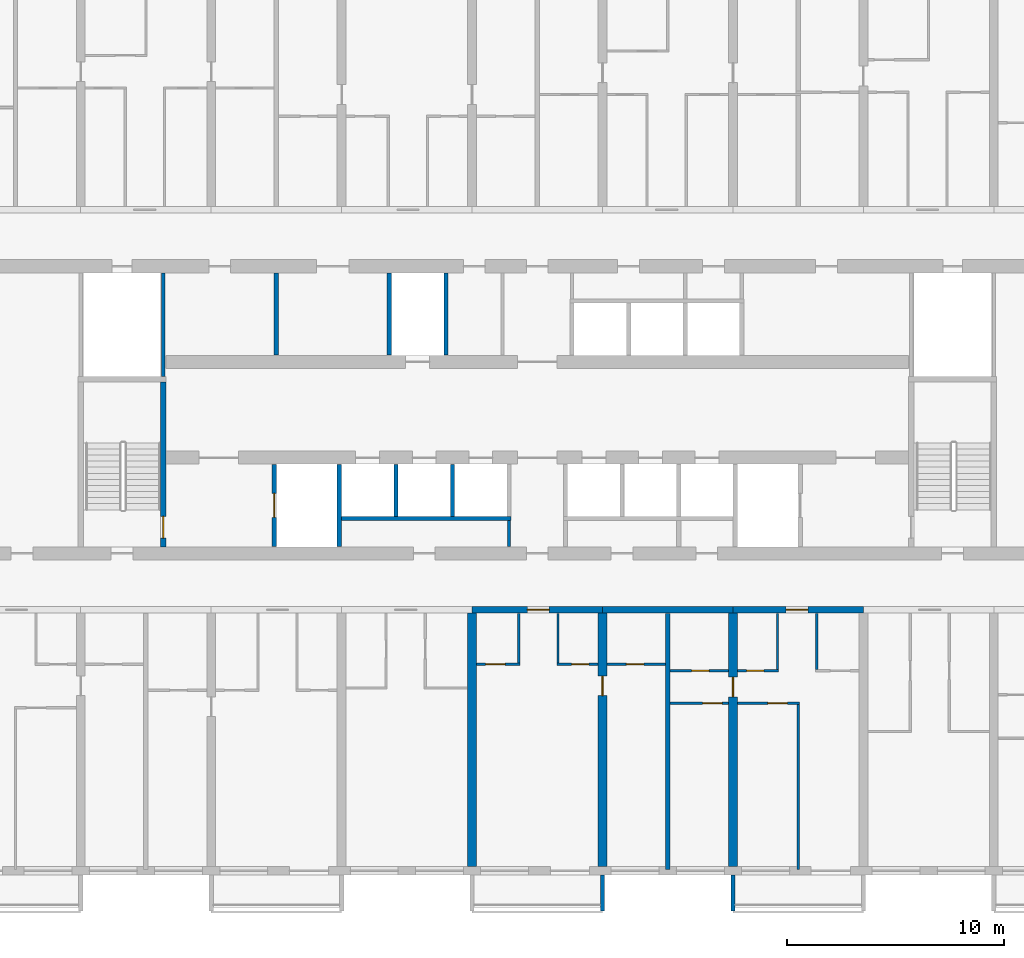
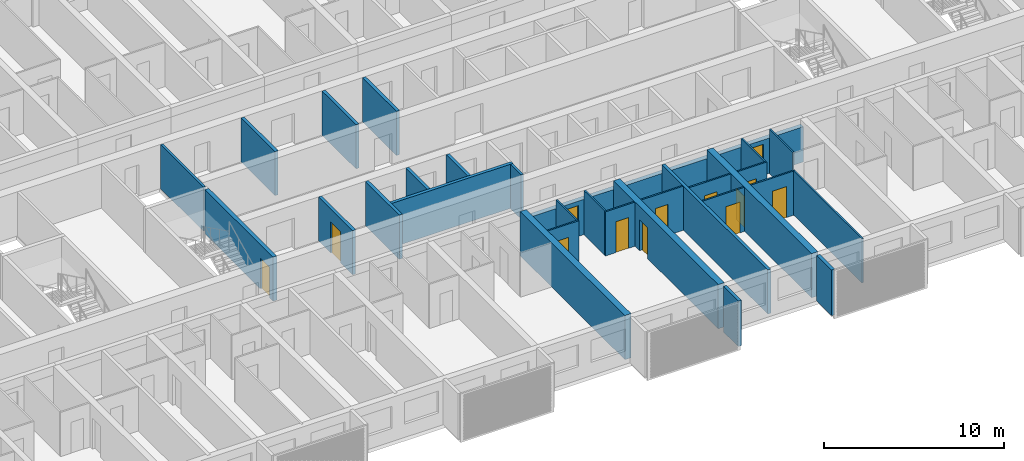
# One storey, part 6 of 38: 32 walls, 13 doors, 13 openings.
"""IFC4 building model written with IfcOpenShell, lengths in metres."""

from ifc_helpers import new_model, si_unit, direction, frame, frame_2d, origin, place, context, subcontext, project, spatial, polyline, rectangle, outline, extrude, source, transform, mapped, material, layer, layer_set, type_object, element, fill, save


model = new_model("IFC4")

# Units and contexts
model_context = context("Model", 3, precision=1e-05, world=origin(), true_north=direction((0.0, 1.0)))
body_context = subcontext(model_context, "Body", "Model", "MODEL_VIEW")
ifc_project = project(units=[si_unit("LENGTHUNIT", "METRE"), si_unit("AREAUNIT", "SQUARE_METRE"), si_unit("VOLUMEUNIT", "CUBIC_METRE"), si_unit("PLANEANGLEUNIT", "RADIAN"), si_unit("MASSUNIT", "GRAM", prefix="KILO")], contexts=[model_context])

# Site, building, storey
site_placement = place(None, origin())
site = spatial("IfcSite", under=ifc_project, at=site_placement, CompositionType="ELEMENT")
building_placement = place(site_placement, origin())
building = spatial("IfcBuilding", under=site, at=building_placement, Name="Poui Terraces", CompositionType="ELEMENT")
storey_placement = place(building_placement, frame((0.0, 0.0, 49.800048828125)))
storey = spatial("IfcBuildingStorey", under=building, at=storey_placement, Name="L13", CompositionType="ELEMENT", Elevation=49.800048828125)

# Wall
ifc_material_1 = material(Name="Fire-rated plasterboard wall")
ifc_layer_1 = layer(ifc_material_1, 0.14990234375)
ifc_layer_set_1 = layer_set([ifc_layer_1], Name="Fire-rated plasterboard wall")
wall_type_1 = type_object("IfcWallType", Name="CORRIDOR WALL 150", PredefinedType="PARTITIONING", material=ifc_layer_set_1)
wall_1_placement = place(storey_placement, frame((49.699951171875, 14.909912109375, 0.0), z_axis=(0.0, 0.0, 1.0), x_axis=(0.0, 1.0, 0.0)))
element("IfcWall", 1, at=wall_1_placement, inside=storey, type_object=wall_type_1, Name="CORRIDOR WALL 150", PredefinedType="PARTITIONING", context=body_context, shape_type="SweptSolid", body=[
    extrude(rectangle(XDim=1.190185546875, YDim=0.14990234375, at=frame_2d((0.59521484375, 0.0))), origin(), (0.0, 0.0, 1.0), 3.0),
])

# Wall, opening, door
ifc_material_2 = material(Name="Concrete 80 MPa", Category="concrete")
ifc_layer_2 = layer(ifc_material_2, 0.300048828125)
ifc_layer_set_2 = layer_set([ifc_layer_2], Name="Concrete 80 MPa")
wall_type_2 = type_object("IfcWallType", Name="CORRIDOR WALL 300 80MPa", PredefinedType="SHEAR", material=ifc_layer_set_2)
wall_2_placement = place(storey_placement, frame((48.0, 12.0, 0.0), z_axis=(0.0, 0.0, 1.0), x_axis=(1.0, 0.0, 0.0)))
wall_2 = element("IfcWall", 2, at=wall_2_placement, inside=storey, type_object=wall_type_2, Name="CORRIDOR WALL LINE B BAY 9", PredefinedType="SHEAR", context=body_context, shape_type="SweptSolid", body=[
    extrude(rectangle(XDim=6.0, YDim=0.300048828125, at=frame_2d((3.0, 0.0))), origin(), (0.0, 0.0, 1.0), 2.39990234375),
])
opening_1_placement = place(wall_2_placement, frame((2.550048828125, 0.0, 0.0)))
opening_1 = element("IfcOpeningElement", 3, at=opening_1_placement, cuts=wall_2, Name="Opening FD30S", PredefinedType="OPENING", context=body_context, shape_type="SweptSolid", body=[
    extrude(rectangle(XDim=1.0, YDim=2.10009765625, at=frame_2d((0.5, 1.050048828125))), frame((0.0, 0.16015625, 0.0), z_axis=(0.0, -1.0, 0.0), x_axis=(1.0, 0.0, 0.0)), (0.0, 0.0, 1.0), 0.320068359375),
])
ifc_material_3 = material(Name="Steel fire door", Category="steel")
door_type_1 = type_object("IfcDoorType", Name="FLAT ENTRANCE DOOR 1000 X 2100", OperationType="NOTDEFINED", PredefinedType="DOOR", material=ifc_material_3)
door_1_placement = place(opening_1_placement, frame((1.0, 0.0, 0.0), z_axis=(0.0, 0.0, 1.0), x_axis=(-1.0, 0.0, 0.0)))
door_1 = element("IfcDoor", 4, at=door_1_placement, inside=storey, type_object=door_type_1, Name="FLAT ENTRANCE DOOR 119", OperationType="SINGLE_SWING_LEFT", OverallHeight=2.10009765625, OverallWidth=1.0, PredefinedType="DOOR", context=body_context, shape_type="SweptSolid", body=[
    extrude(rectangle(XDim=1.0, YDim=2.10009765625, at=frame_2d((0.5, 1.050048828125))), frame((0.0, 0.02490234375, 0.0), z_axis=(0.0, -1.0, 0.0), x_axis=(1.0, 0.0, 0.0)), (0.0, 0.0, 1.0), 0.050048828125),
])
fill(opening_1, door_1)

# Wall
wall_3_placement = place(storey_placement, frame((54.0, 12.0, 0.0), z_axis=(0.0, 0.0, 1.0), x_axis=(1.0, 0.0, 0.0)))
element("IfcWall", 5, at=wall_3_placement, inside=storey, type_object=wall_type_2, Name="CORRIDOR WALL LINE B BAY 10", PredefinedType="SHEAR", context=body_context, shape_type="SweptSolid", body=[
    extrude(rectangle(XDim=6.0, YDim=0.300048828125, at=frame_2d((3.0, 0.0))), origin(), (0.0, 0.0, 1.0), 2.39990234375),
])

# Wall, opening, door
wall_4_placement = place(storey_placement, frame((60.0, 12.0, 0.0), z_axis=(0.0, 0.0, 1.0), x_axis=(1.0, 0.0, 0.0)))
wall_4 = element("IfcWall", 6, at=wall_4_placement, inside=storey, type_object=wall_type_2, Name="CORRIDOR WALL LINE B BAY 11", PredefinedType="SHEAR", context=body_context, shape_type="SweptSolid", body=[
    extrude(rectangle(XDim=6.0, YDim=0.300048828125, at=frame_2d((3.0, 0.0))), origin(), (0.0, 0.0, 1.0), 2.39990234375),
])
opening_2_placement = place(wall_4_placement, frame((2.449951171875, 0.0, 0.0)))
opening_2 = element("IfcOpeningElement", 7, at=opening_2_placement, cuts=wall_4, Name="Opening FD30S", PredefinedType="OPENING", context=body_context, shape_type="SweptSolid", body=[
    extrude(rectangle(XDim=1.0, YDim=2.10009765625, at=frame_2d((0.5, 1.050048828125))), frame((0.0, 0.16015625, 0.0), z_axis=(0.0, -1.0, 0.0), x_axis=(1.0, 0.0, 0.0)), (0.0, 0.0, 1.0), 0.320068359375),
])
door_2_placement = place(opening_2_placement, frame((1.0, 0.0, 0.0), z_axis=(0.0, 0.0, 1.0), x_axis=(-1.0, 0.0, 0.0)))
door_2 = element("IfcDoor", 8, at=door_2_placement, inside=storey, type_object=door_type_1, Name="FLAT ENTRANCE DOOR 127", OperationType="SINGLE_SWING_RIGHT", OverallHeight=2.10009765625, OverallWidth=1.0, PredefinedType="DOOR", context=body_context, shape_type="SweptSolid", body=[
    extrude(rectangle(XDim=1.0, YDim=2.10009765625, at=frame_2d((0.5, 1.050048828125))), frame((0.0, 0.02490234375, 0.0), z_axis=(0.0, -1.0, 0.0), x_axis=(1.0, 0.0, 0.0)), (0.0, 0.0, 1.0), 0.050048828125),
])
fill(opening_2, door_2)

# Wall
ifc_layer_3 = layer(ifc_material_2, 0.39990234375)
ifc_layer_set_3 = layer_set([ifc_layer_3], Name="Concrete 80 MPa")
wall_type_3 = type_object("IfcWallType", Name="CROSS WALL 400 80MPa", PredefinedType="SHEAR", material=ifc_layer_set_3)
wall_5_placement = place(storey_placement, frame((48.0, 0.199951171875, 0.0), z_axis=(0.0, 0.0, 1.0), x_axis=(0.0, 1.0, 0.0)))
element("IfcWall", 9, at=wall_5_placement, inside=storey, type_object=wall_type_3, Name="CROSS WALL LINE 9 SOUTH", PredefinedType="SHEAR", context=body_context, shape_type="SweptSolid", body=[
    extrude(rectangle(XDim=11.650146484375, YDim=0.39990234375, at=frame_2d((5.8251953125, 0.0))), origin(), (0.0, 0.0, 1.0), 3.0),
])

# Wall, opening, door
wall_6_placement = place(storey_placement, frame((54.0, 0.199951171875, 0.0), z_axis=(0.0, 0.0, 1.0), x_axis=(0.0, 1.0, 0.0)))
wall_6 = element("IfcWall", 10, at=wall_6_placement, inside=storey, type_object=wall_type_3, Name="CROSS WALL LINE 10 SOUTH", PredefinedType="SHEAR", context=body_context, shape_type="SweptSolid", body=[
    extrude(rectangle(XDim=11.650146484375, YDim=0.39990234375, at=frame_2d((5.8251953125, 0.0))), origin(), (0.0, 0.0, 1.0), 3.0),
])
opening_3_placement = place(wall_6_placement, frame((7.85009765625, 0.0, 0.0)))
opening_3 = element("IfcOpeningElement", 11, at=opening_3_placement, cuts=wall_6, Name="Opening D90", PredefinedType="OPENING", context=body_context, shape_type="SweptSolid", body=[
    extrude(rectangle(XDim=0.89990234375, YDim=2.10009765625, at=frame_2d((0.449951171875, 1.050048828125))), frame((0.0, 0.2099609375, 0.0), z_axis=(0.0, -1.0, 0.0), x_axis=(1.0, 0.0, 0.0)), (0.0, 0.0, 1.0), 0.419921875),
])
ifc_material_4 = material(Name="Solid core timber door", Category="wood")
door_type_2 = type_object("IfcDoorType", Name="INTERNAL DOOR 900 X 2100", OperationType="NOTDEFINED", PredefinedType="DOOR", material=ifc_material_4)
door_3_placement = place(opening_3_placement, frame((0.89990234375, 0.0, 0.0), z_axis=(0.0, 0.0, 1.0), x_axis=(-1.0, 0.0, 0.0)))
door_3 = element("IfcDoor", 12, at=door_3_placement, inside=storey, type_object=door_type_2, Name="INTERNAL DOOR 121", OperationType="SINGLE_SWING_LEFT", OverallHeight=2.10009765625, OverallWidth=0.89990234375, PredefinedType="DOOR", context=body_context, shape_type="SweptSolid", body=[
    extrude(rectangle(XDim=0.89990234375, YDim=2.10009765625, at=frame_2d((0.449951171875, 1.050048828125))), frame((0.0, 0.02490234375, 0.0), z_axis=(0.0, -1.0, 0.0), x_axis=(1.0, 0.0, 0.0)), (0.0, 0.0, 1.0), 0.050048828125),
])
fill(opening_3, door_3)

wall_7_placement = place(storey_placement, frame((60.0, 0.199951171875, 0.0), z_axis=(0.0, 0.0, 1.0), x_axis=(0.0, 1.0, 0.0)))
wall_7 = element("IfcWall", 13, at=wall_7_placement, inside=storey, type_object=wall_type_3, Name="CROSS WALL LINE 11 SOUTH", PredefinedType="SHEAR", context=body_context, shape_type="SweptSolid", body=[
    extrude(rectangle(XDim=11.650146484375, YDim=0.39990234375, at=frame_2d((5.8251953125, 0.0))), origin(), (0.0, 0.0, 1.0), 3.0),
])
opening_4_placement = place(wall_7_placement, frame((7.800048828125, 0.0, 0.0)))
opening_4 = element("IfcOpeningElement", 14, at=opening_4_placement, cuts=wall_7, Name="Opening D90", PredefinedType="OPENING", context=body_context, shape_type="SweptSolid", body=[
    extrude(rectangle(XDim=0.89990234375, YDim=2.10009765625, at=frame_2d((0.449951171875, 1.050048828125))), frame((0.0, 0.2099609375, 0.0), z_axis=(0.0, -1.0, 0.0), x_axis=(1.0, 0.0, 0.0)), (0.0, 0.0, 1.0), 0.419921875),
])
door_4_placement = place(opening_4_placement, frame((0.89990234375, 0.0, 0.0), z_axis=(0.0, 0.0, 1.0), x_axis=(-1.0, 0.0, 0.0)))
door_4 = element("IfcDoor", 15, at=door_4_placement, inside=storey, type_object=door_type_2, Name="INTERNAL DOOR 124", OperationType="SINGLE_SWING_LEFT", OverallHeight=2.10009765625, OverallWidth=0.89990234375, PredefinedType="DOOR", context=body_context, shape_type="SweptSolid", body=[
    extrude(rectangle(XDim=0.89990234375, YDim=2.10009765625, at=frame_2d((0.449951171875, 1.050048828125))), frame((0.0, 0.02490234375, 0.0), z_axis=(0.0, -1.0, 0.0), x_axis=(1.0, 0.0, 0.0)), (0.0, 0.0, 1.0), 0.050048828125),
])
fill(opening_4, door_4)

ifc_material_5 = material(Name="Plasterboard partition")
ifc_layer_4 = layer(ifc_material_5, 0.10009765625)
ifc_layer_set_4 = layer_set([ifc_layer_4], Name="Plasterboard partition")
wall_type_4 = type_object("IfcWallType", Name="FLAT PARTITION 100", PredefinedType="PARTITIONING", material=ifc_layer_set_4)
wall_8_placement = place(storey_placement, frame((57.10009765625, 7.699951171875, 0.0), z_axis=(0.0, 0.0, 1.0), x_axis=(1.0, 0.0, 0.0)))
wall_8 = element("IfcWall", 16, at=wall_8_placement, inside=storey, type_object=wall_type_4, Name="FLAT PARTITION 100", PredefinedType="PARTITIONING", context=body_context, shape_type="SweptSolid", body=[
    extrude(rectangle(XDim=2.68994140625, YDim=0.10009765625, at=frame_2d((1.344970703125, 0.0))), origin(), (0.0, 0.0, 1.0), 3.0),
])
opening_5_placement = place(wall_8_placement, frame((1.5, 0.0, 0.0)))
opening_5 = element("IfcOpeningElement", 17, at=opening_5_placement, cuts=wall_8, Name="Opening D90", PredefinedType="OPENING", context=body_context, shape_type="SweptSolid", body=[
    extrude(rectangle(XDim=0.89990234375, YDim=2.10009765625, at=frame_2d((0.449951171875, 1.050048828125))), frame((0.0, 0.06005859375, 0.0), z_axis=(0.0, -1.0, 0.0), x_axis=(1.0, 0.0, 0.0)), (0.0, 0.0, 1.0), 0.1201171875),
])
door_5_placement = place(opening_5_placement, frame((0.89990234375, 0.0, 0.0), z_axis=(0.0, 0.0, 1.0), x_axis=(-1.0, 0.0, 0.0)))
door_5 = element("IfcDoor", 18, at=door_5_placement, inside=storey, type_object=door_type_2, Name="INTERNAL DOOR 123", OperationType="SINGLE_SWING_LEFT", OverallHeight=2.10009765625, OverallWidth=0.89990234375, PredefinedType="DOOR", context=body_context, shape_type="SweptSolid", body=[
    extrude(rectangle(XDim=0.89990234375, YDim=2.10009765625, at=frame_2d((0.449951171875, 1.050048828125))), frame((0.0, 0.02490234375, 0.0), z_axis=(0.0, -1.0, 0.0), x_axis=(1.0, 0.0, 0.0)), (0.0, 0.0, 1.0), 0.050048828125),
])
fill(opening_5, door_5)

wall_9_placement = place(storey_placement, frame((60.2099609375, 7.699951171875, 0.0), z_axis=(0.0, 0.0, 1.0), x_axis=(1.0, 0.0, 0.0)))
wall_9 = element("IfcWall", 19, at=wall_9_placement, inside=storey, type_object=wall_type_4, Name="FLAT PARTITION 100", PredefinedType="PARTITIONING", context=body_context, shape_type="SweptSolid", body=[
    extrude(rectangle(XDim=2.840087890625, YDim=0.10009765625, at=frame_2d((1.419921875, 0.0))), origin(), (0.0, 0.0, 1.0), 3.0),
])
opening_6_placement = place(wall_9_placement, frame((1.389892578125, 0.0, 0.0)))
opening_6 = element("IfcOpeningElement", 20, at=opening_6_placement, cuts=wall_9, Name="Opening D90", PredefinedType="OPENING", context=body_context, shape_type="SweptSolid", body=[
    extrude(rectangle(XDim=0.89990234375, YDim=2.10009765625, at=frame_2d((0.449951171875, 1.050048828125))), frame((0.0, 0.06005859375, 0.0), z_axis=(0.0, -1.0, 0.0), x_axis=(1.0, 0.0, 0.0)), (0.0, 0.0, 1.0), 0.1201171875),
])
door_6_placement = place(opening_6_placement, origin())
door_6 = element("IfcDoor", 21, at=door_6_placement, inside=storey, type_object=door_type_2, Name="INTERNAL DOOR 126", OperationType="SINGLE_SWING_LEFT", OverallHeight=2.10009765625, OverallWidth=0.89990234375, PredefinedType="DOOR", context=body_context, shape_type="SweptSolid", body=[
    extrude(rectangle(XDim=0.89990234375, YDim=2.10009765625, at=frame_2d((0.449951171875, 1.050048828125))), frame((0.0, 0.02490234375, 0.0), z_axis=(0.0, -1.0, 0.0), x_axis=(1.0, 0.0, 0.0)), (0.0, 0.0, 1.0), 0.050048828125),
])
fill(opening_6, door_6)

wall_10_placement = place(storey_placement, frame((57.10009765625, 9.199951171875, 0.0), z_axis=(0.0, 0.0, 1.0), x_axis=(1.0, 0.0, 0.0)))
wall_10 = element("IfcWall", 22, at=wall_10_placement, inside=storey, type_object=wall_type_4, Name="FLAT PARTITION 100", PredefinedType="PARTITIONING", context=body_context, shape_type="SweptSolid", body=[
    extrude(rectangle(XDim=2.68994140625, YDim=0.10009765625, at=frame_2d((1.344970703125, 0.0))), origin(), (0.0, 0.0, 1.0), 3.0),
])
opening_7_placement = place(wall_10_placement, frame((1.0, 0.0, 0.0)))
opening_7 = element("IfcOpeningElement", 23, at=opening_7_placement, cuts=wall_10, Name="Opening D80", PredefinedType="OPENING", context=body_context, shape_type="SweptSolid", body=[
    extrude(rectangle(XDim=0.800048828125, YDim=2.10009765625, at=frame_2d((0.39990234375, 1.050048828125))), frame((0.0, 0.06005859375, 0.0), z_axis=(0.0, -1.0, 0.0), x_axis=(1.0, 0.0, 0.0)), (0.0, 0.0, 1.0), 0.1201171875),
])
door_type_3 = type_object("IfcDoorType", Name="BATHROOM, LAUNDRY AND STORE DOOR 800 X 2100", OperationType="NOTDEFINED", PredefinedType="DOOR", material=ifc_material_4)
door_7_placement = place(opening_7_placement, origin())
door_7 = element("IfcDoor", 24, at=door_7_placement, inside=storey, type_object=door_type_3, Name="BATHROOM, LAUNDRY AND STORE DOOR 122", OperationType="SINGLE_SWING_LEFT", OverallHeight=2.10009765625, OverallWidth=0.800048828125, PredefinedType="DOOR", context=body_context, shape_type="SweptSolid", body=[
    extrude(rectangle(XDim=0.800048828125, YDim=2.10009765625, at=frame_2d((0.39990234375, 1.050048828125))), frame((0.0, 0.02490234375, 0.0), z_axis=(0.0, -1.0, 0.0), x_axis=(1.0, 0.0, 0.0)), (0.0, 0.0, 1.0), 0.050048828125),
])
fill(opening_7, door_7)

wall_11_placement = place(storey_placement, frame((60.2099609375, 9.199951171875, 0.0), z_axis=(0.0, 0.0, 1.0), x_axis=(1.0, 0.0, 0.0)))
wall_11 = element("IfcWall", 25, at=wall_11_placement, inside=storey, type_object=wall_type_4, Name="FLAT PARTITION 100", PredefinedType="PARTITIONING", context=body_context, shape_type="SweptSolid", body=[
    extrude(rectangle(XDim=1.89013671875, YDim=0.10009765625, at=frame_2d((0.945068359375, 0.0))), origin(), (0.0, 0.0, 1.0), 3.0),
])
opening_8_placement = place(wall_11_placement, frame((0.4150390625, 0.0, 0.0)))
opening_8 = element("IfcOpeningElement", 26, at=opening_8_placement, cuts=wall_11, Name="Opening D80", PredefinedType="OPENING", context=body_context, shape_type="SweptSolid", body=[
    extrude(rectangle(XDim=0.800048828125, YDim=2.10009765625, at=frame_2d((0.39990234375, 1.050048828125))), frame((0.0, 0.06005859375, 0.0), z_axis=(0.0, -1.0, 0.0), x_axis=(1.0, 0.0, 0.0)), (0.0, 0.0, 1.0), 0.1201171875),
])
door_8_placement = place(opening_8_placement, origin())
door_8 = element("IfcDoor", 27, at=door_8_placement, inside=storey, type_object=door_type_3, Name="BATHROOM, LAUNDRY AND STORE DOOR 125", OperationType="SINGLE_SWING_RIGHT", OverallHeight=2.10009765625, OverallWidth=0.800048828125, PredefinedType="DOOR", context=body_context, shape_type="SweptSolid", body=[
    extrude(rectangle(XDim=0.800048828125, YDim=2.10009765625, at=frame_2d((0.39990234375, 1.050048828125))), frame((0.0, 0.02490234375, 0.0), z_axis=(0.0, -1.0, 0.0), x_axis=(1.0, 0.0, 0.0)), (0.0, 0.0, 1.0), 0.050048828125),
])
fill(opening_8, door_8)

wall_12_placement = place(storey_placement, frame((48.2099609375, 9.5, 0.0), z_axis=(0.0, 0.0, 1.0), x_axis=(1.0, 0.0, 0.0)))
wall_12 = element("IfcWall", 28, at=wall_12_placement, inside=storey, type_object=wall_type_4, Name="FLAT PARTITION 100", PredefinedType="PARTITIONING", context=body_context, shape_type="SweptSolid", body=[
    extrude(rectangle(XDim=1.989990234375, YDim=0.10009765625, at=frame_2d((0.9951171875, 0.0))), origin(), (0.0, 0.0, 1.0), 3.0),
])
opening_9_placement = place(wall_12_placement, frame((0.4150390625, 0.0, 0.0)))
opening_9 = element("IfcOpeningElement", 29, at=opening_9_placement, cuts=wall_12, Name="Opening D90", PredefinedType="OPENING", context=body_context, shape_type="SweptSolid", body=[
    extrude(rectangle(XDim=0.89990234375, YDim=2.10009765625, at=frame_2d((0.449951171875, 1.050048828125))), frame((0.0, 0.06005859375, 0.0), z_axis=(0.0, -1.0, 0.0), x_axis=(1.0, 0.0, 0.0)), (0.0, 0.0, 1.0), 0.1201171875),
])
door_9_placement = place(opening_9_placement, origin())
door_9 = element("IfcDoor", 30, at=door_9_placement, inside=storey, type_object=door_type_2, Name="INTERNAL DOOR 118", OperationType="SINGLE_SWING_RIGHT", OverallHeight=2.10009765625, OverallWidth=0.89990234375, PredefinedType="DOOR", context=body_context, shape_type="SweptSolid", body=[
    extrude(rectangle(XDim=0.89990234375, YDim=2.10009765625, at=frame_2d((0.449951171875, 1.050048828125))), frame((0.0, 0.02490234375, 0.0), z_axis=(0.0, -1.0, 0.0), x_axis=(1.0, 0.0, 0.0)), (0.0, 0.0, 1.0), 0.050048828125),
])
fill(opening_9, door_9)

wall_13_placement = place(storey_placement, frame((51.89990234375, 9.5, 0.0), z_axis=(0.0, 0.0, 1.0), x_axis=(1.0, 0.0, 0.0)))
wall_13 = element("IfcWall", 31, at=wall_13_placement, inside=storey, type_object=wall_type_4, Name="FLAT PARTITION 100", PredefinedType="PARTITIONING", context=body_context, shape_type="SweptSolid", body=[
    extrude(rectangle(XDim=1.89013671875, YDim=0.10009765625, at=frame_2d((0.945068359375, 0.0))), origin(), (0.0, 0.0, 1.0), 3.0),
])
opening_10_placement = place(wall_13_placement, frame((0.675048828125, 0.0, 0.0)))
opening_10 = element("IfcOpeningElement", 32, at=opening_10_placement, cuts=wall_13, Name="Opening D80", PredefinedType="OPENING", context=body_context, shape_type="SweptSolid", body=[
    extrude(rectangle(XDim=0.800048828125, YDim=2.10009765625, at=frame_2d((0.39990234375, 1.050048828125))), frame((0.0, 0.06005859375, 0.0), z_axis=(0.0, -1.0, 0.0), x_axis=(1.0, 0.0, 0.0)), (0.0, 0.0, 1.0), 0.1201171875),
])
door_10_placement = place(opening_10_placement, origin())
door_10 = element("IfcDoor", 33, at=door_10_placement, inside=storey, type_object=door_type_3, Name="BATHROOM, LAUNDRY AND STORE DOOR 120", OperationType="SINGLE_SWING_LEFT", OverallHeight=2.10009765625, OverallWidth=0.800048828125, PredefinedType="DOOR", context=body_context, shape_type="SweptSolid", body=[
    extrude(rectangle(XDim=0.800048828125, YDim=2.10009765625, at=frame_2d((0.39990234375, 1.050048828125))), frame((0.0, 0.02490234375, 0.0), z_axis=(0.0, -1.0, 0.0), x_axis=(1.0, 0.0, 0.0)), (0.0, 0.0, 1.0), 0.050048828125),
])
fill(opening_10, door_10)

wall_14_placement = place(storey_placement, frame((54.2099609375, 9.5, 0.0), z_axis=(0.0, 0.0, 1.0), x_axis=(1.0, 0.0, 0.0)))
wall_14 = element("IfcWall", 34, at=wall_14_placement, inside=storey, type_object=wall_type_4, Name="FLAT PARTITION 100", PredefinedType="PARTITIONING", context=body_context, shape_type="SweptSolid", body=[
    extrude(rectangle(XDim=2.68994140625, YDim=0.10009765625, at=frame_2d((1.344970703125, 0.0))), origin(), (0.0, 0.0, 1.0), 3.0),
])
opening_11_placement = place(wall_14_placement, frame((0.889892578125, 0.0, 0.0)))
opening_11 = element("IfcOpeningElement", 35, at=opening_11_placement, cuts=wall_14, Name="Opening D80", PredefinedType="OPENING", context=body_context, shape_type="SweptSolid", body=[
    extrude(rectangle(XDim=0.800048828125, YDim=2.10009765625, at=frame_2d((0.39990234375, 1.050048828125))), frame((0.0, 0.06005859375, 0.0), z_axis=(0.0, -1.0, 0.0), x_axis=(1.0, 0.0, 0.0)), (0.0, 0.0, 1.0), 0.1201171875),
])
door_11_placement = place(opening_11_placement, origin())
door_11 = element("IfcDoor", 36, at=door_11_placement, inside=storey, type_object=door_type_3, Name="BATHROOM, LAUNDRY AND STORE DOOR 117", OperationType="SINGLE_SWING_LEFT", OverallHeight=2.10009765625, OverallWidth=0.800048828125, PredefinedType="DOOR", context=body_context, shape_type="SweptSolid", body=[
    extrude(rectangle(XDim=0.800048828125, YDim=2.10009765625, at=frame_2d((0.39990234375, 1.050048828125))), frame((0.0, 0.02490234375, 0.0), z_axis=(0.0, -1.0, 0.0), x_axis=(1.0, 0.0, 0.0)), (0.0, 0.0, 1.0), 0.050048828125),
])
fill(opening_11, door_11)

# Walls
for number, where, z_axis, x_axis, name in (
    (37, (50.14990234375, 9.550048828125, 0.0), (0.0, 0.0, 1.0), (0.0, 1.0, 0.0), "FLAT PARTITION 100"),
    (38, (51.949951171875, 9.550048828125, 0.0), (0.0, 0.0, 1.0), (0.0, 1.0, 0.0), "FLAT PARTITION 100"),
):
    element("IfcWall", number, at=place(storey_placement, frame(where, z_axis=z_axis, x_axis=x_axis)), inside=storey, type_object=wall_type_4, Name=name, PredefinedType="PARTITIONING", context=body_context, shape_type="SweptSolid", body=[
        extrude(rectangle(XDim=2.2900390625, YDim=0.10009765625, at=frame_2d((1.14501953125, 0.0))), origin(), (0.0, 0.0, 1.0), 3.0),
    ])
wall_15_placement = place(storey_placement, frame((62.050048828125, 9.25, 0.0), z_axis=(0.0, 0.0, 1.0), x_axis=(0.0, 1.0, 0.0)))
element("IfcWall", 39, at=wall_15_placement, inside=storey, type_object=wall_type_4, Name="FLAT PARTITION 100", PredefinedType="PARTITIONING", context=body_context, shape_type="SweptSolid", body=[
    extrude(rectangle(XDim=2.590087890625, YDim=0.10009765625, at=frame_2d((1.294921875, 0.0))), origin(), (0.0, 0.0, 1.0), 3.0),
])
wall_16_placement = place(storey_placement, frame((63.0, 0.06005859375, 0.0), z_axis=(0.0, 0.0, 1.0), x_axis=(0.0, 1.0, 0.0)))
element("IfcWall", 40, at=wall_16_placement, inside=storey, type_object=wall_type_4, Name="FLAT PARTITION 100", PredefinedType="PARTITIONING", context=body_context, shape_type="SweptSolid", body=[
    extrude(rectangle(XDim=7.58984375, YDim=0.10009765625, at=frame_2d((3.794921875, 0.0))), origin(), (0.0, 0.0, 1.0), 3.0),
])
wall_17_placement = place(storey_placement, frame((63.85009765625, 9.25, 0.0), z_axis=(0.0, 0.0, 1.0), x_axis=(0.0, 1.0, 0.0)))
element("IfcWall", 41, at=wall_17_placement, inside=storey, type_object=wall_type_4, Name="FLAT PARTITION 100", PredefinedType="PARTITIONING", context=body_context, shape_type="SweptSolid", body=[
    extrude(rectangle(XDim=2.590087890625, YDim=0.10009765625, at=frame_2d((1.294921875, 0.0))), origin(), (0.0, 0.0, 1.0), 3.0),
])
ifc_material_6 = material(Name="Fire-rated masonry wall", Category="masonry")
ifc_layer_5 = layer(ifc_material_6, 0.199951171875)
ifc_layer_set_5 = layer_set([ifc_layer_5], Name="Fire-rated masonry wall")
wall_type_5 = type_object("IfcWallType", Name="FLAT PARTY WALL 200", PredefinedType="PARTITIONING", material=ifc_layer_set_5)
wall_18_placement = place(storey_placement, frame((57.0, 0.06005859375, 0.0), z_axis=(0.0, 0.0, 1.0), x_axis=(0.0, 1.0, 0.0)))
element("IfcWall", 42, at=wall_18_placement, inside=storey, type_object=wall_type_5, Name="FLAT PARTY WALL 200", PredefinedType="PARTITIONING", context=body_context, shape_type="SweptSolid", body=[
    extrude(rectangle(XDim=11.780029296875, YDim=0.199951171875, at=frame_2d((5.89013671875, 0.0))), origin(), (0.0, 0.0, 1.0), 3.0),
])
ifc_layer_6 = layer(ifc_material_6, 0.199951171875)
ifc_layer_set_6 = layer_set([ifc_layer_6], Name="Fire-rated masonry wall")
wall_type_6 = type_object("IfcWallType", Name="PLANT ROOM WALL 200", PredefinedType="PARTITIONING", material=ifc_layer_set_6)
wall_19_placement = place(storey_placement, frame((39.0, 23.7099609375, 0.0), z_axis=(0.0, 0.0, 1.0), x_axis=(0.0, 1.0, 0.0)))
element("IfcWall", 43, at=wall_19_placement, inside=storey, type_object=wall_type_6, Name="PLANT ROOM WALL 200", PredefinedType="PARTITIONING", context=body_context, shape_type="SweptSolid", body=[
    extrude(rectangle(XDim=3.780029296875, YDim=0.199951171875, at=frame_2d((1.89013671875, 0.0))), origin(), (0.0, 0.0, 1.0), 3.0),
])
ifc_material_7 = material(Name="Fire-rated plasterboard riser wall")
ifc_layer_7 = layer(ifc_material_7, 0.14990234375)
ifc_layer_set_7 = layer_set([ifc_layer_7], Name="Fire-rated plasterboard riser wall")
wall_type_7 = type_object("IfcWallType", Name="RISER WALL 150", PredefinedType="PARTITIONING", material=ifc_layer_set_7)
wall_20_placement = place(storey_placement, frame((33.800048828125, 22.735107421875, 0.0), z_axis=(0.0, 0.0, 1.0), x_axis=(0.0, 1.0, 0.0)))
element("IfcWall", 44, at=wall_20_placement, inside=storey, type_object=wall_type_7, Name="RISER WALL 150", PredefinedType="PARTITIONING", context=body_context, shape_type="SweptSolid", body=[
    extrude(rectangle(XDim=4.7548828125, YDim=0.14990234375, at=frame_2d((2.37744140625, 0.0))), origin(), (0.0, 0.0, 1.0), 3.0),
])
ifc_material_8 = material(Name="Fire-rated masonry shaft wall", Category="masonry")
ifc_layer_8 = layer(ifc_material_8, 0.199951171875)
ifc_layer_set_8 = layer_set([ifc_layer_8], Name="Fire-rated masonry shaft wall")
wall_type_8 = type_object("IfcWallType", Name="SHAFT WALL 200", PredefinedType="PARTITIONING", material=ifc_layer_set_8)
wall_21_placement = place(storey_placement, frame((42.0, 16.199951171875, 0.0), z_axis=(0.0, 0.0, 1.0), x_axis=(1.0, 0.0, 0.0)))
element("IfcWall", 45, at=wall_21_placement, inside=storey, type_object=wall_type_8, Name="SHAFT WALL 200", PredefinedType="PARTITIONING", context=body_context, shape_type="SweptSolid", body=[
    extrude(rectangle(XDim=7.800048828125, YDim=0.199951171875, at=frame_2d((3.89990234375, 0.0))), origin(), (0.0, 0.0, 1.0), 3.0),
])

# Wall, opening, door
wall_22_placement = place(storey_placement, frame((38.89990234375, 14.909912109375, 0.0), z_axis=(0.0, 0.0, 1.0), x_axis=(0.0, 1.0, 0.0)))
wall_22 = element("IfcWall", 46, at=wall_22_placement, inside=storey, type_object=wall_type_8, Name="SHAFT WALL 200", PredefinedType="PARTITIONING", context=body_context, shape_type="SweptSolid", body=[
    extrude(rectangle(XDim=3.780029296875, YDim=0.199951171875, at=frame_2d((1.89013671875, 0.0))), origin(), (0.0, 0.0, 1.0), 3.0),
])
opening_12_placement = place(wall_22_placement, frame((1.340087890625, 0.0, 0.0)))
opening_12 = element("IfcOpeningElement", 47, at=opening_12_placement, cuts=wall_22, Name="Opening LD", PredefinedType="OPENING", context=body_context, shape_type="SweptSolid", body=[
    extrude(rectangle(XDim=1.10009765625, YDim=2.10009765625, at=frame_2d((0.550048828125, 1.050048828125))), frame((0.0, 0.10986328125, 0.0), z_axis=(0.0, -1.0, 0.0), x_axis=(1.0, 0.0, 0.0)), (0.0, 0.0, 1.0), 0.219970703125),
])
ifc_material_9 = material(Name="Stainless steel sliding door", Category="steel")
door_type_4 = type_object("IfcDoorType", Name="LIFT LANDING DOOR 1100 X 2100", OperationType="DOUBLE_DOOR_SLIDING", PredefinedType="DOOR", material=ifc_material_9)
door_12_placement = place(opening_12_placement, origin())
door_12 = element("IfcDoor", 48, at=door_12_placement, inside=storey, type_object=door_type_4, Name="LANDING DOOR", OperationType="DOUBLE_DOOR_SLIDING", OverallHeight=2.10009765625, OverallWidth=1.10009765625, PredefinedType="DOOR", context=body_context, shape_type="SweptSolid", body=[
    extrude(rectangle(XDim=1.10009765625, YDim=2.10009765625, at=frame_2d((0.550048828125, 1.050048828125))), frame((0.0, 0.02490234375, 0.0), z_axis=(0.0, -1.0, 0.0), x_axis=(1.0, 0.0, 0.0)), (0.0, 0.0, 1.0), 0.050048828125),
])
fill(opening_12, door_12)

# Walls
for number, where, z_axis, x_axis, name in (
    (49, (41.89990234375, 14.909912109375, 0.0), (0.0, 0.0, 1.0), (0.0, 1.0, 0.0), "SHAFT WALL 200"),
    (50, (44.199951171875, 23.7099609375, 0.0), (0.0, 0.0, 1.0), (0.0, 1.0, 0.0), "SHAFT WALL 200"),
):
    element("IfcWall", number, at=place(storey_placement, frame(where, z_axis=z_axis, x_axis=x_axis)), inside=storey, type_object=wall_type_8, Name=name, PredefinedType="PARTITIONING", context=body_context, shape_type="SweptSolid", body=[
        extrude(rectangle(XDim=3.780029296875, YDim=0.199951171875, at=frame_2d((1.89013671875, 0.0))), origin(), (0.0, 0.0, 1.0), 3.0),
    ])
wall_23_placement = place(storey_placement, frame((44.5, 16.300048828125, 0.0), z_axis=(0.0, 0.0, 1.0), x_axis=(0.0, 1.0, 0.0)))
element("IfcWall", 51, at=wall_23_placement, inside=storey, type_object=wall_type_8, Name="SHAFT WALL 200", PredefinedType="PARTITIONING", context=body_context, shape_type="SweptSolid", body=[
    extrude(rectangle(XDim=2.389892578125, YDim=0.199951171875, at=frame_2d((1.19482421875, 0.0))), origin(), (0.0, 0.0, 1.0), 3.0),
])
wall_24_placement = place(storey_placement, frame((46.800048828125, 23.7099609375, 0.0), z_axis=(0.0, 0.0, 1.0), x_axis=(0.0, 1.0, 0.0)))
element("IfcWall", 52, at=wall_24_placement, inside=storey, type_object=wall_type_8, Name="SHAFT WALL 200", PredefinedType="PARTITIONING", context=body_context, shape_type="SweptSolid", body=[
    extrude(rectangle(XDim=3.780029296875, YDim=0.199951171875, at=frame_2d((1.89013671875, 0.0))), origin(), (0.0, 0.0, 1.0), 3.0),
])
wall_25_placement = place(storey_placement, frame((47.10009765625, 16.300048828125, 0.0), z_axis=(0.0, 0.0, 1.0), x_axis=(0.0, 1.0, 0.0)))
element("IfcWall", 53, at=wall_25_placement, inside=storey, type_object=wall_type_8, Name="SHAFT WALL 200", PredefinedType="PARTITIONING", context=body_context, shape_type="SweptSolid", body=[
    extrude(rectangle(XDim=2.389892578125, YDim=0.199951171875, at=frame_2d((1.19482421875, 0.0))), origin(), (0.0, 0.0, 1.0), 3.0),
])

# Wall, opening, door
ifc_layer_9 = layer(ifc_material_2, 0.25)
ifc_layer_set_9 = layer_set([ifc_layer_9], Name="Concrete 80 MPa")
wall_type_9 = type_object("IfcWallType", Name="STAIR CORE WALL 250 80 MPA", PredefinedType="SOLIDWALL", material=ifc_layer_set_9)
wall_26_placement = place(storey_placement, frame((33.800048828125, 14.89990234375, 0.0), z_axis=(0.0, 0.0, 1.0), x_axis=(0.0, 1.0, 0.0)))
wall_26 = element("IfcWall", 54, at=wall_26_placement, inside=storey, type_object=wall_type_9, Name="STAIR CORE WALL", PredefinedType="SOLIDWALL", context=body_context, shape_type="SweptSolid", body=[
    extrude(rectangle(XDim=7.5751953125, YDim=0.25, at=frame_2d((3.78759765625, 0.0))), origin(), (0.0, 0.0, 1.0), 3.0),
])
opening_13_placement = place(wall_26_placement, frame((0.39990234375, 0.0, 0.0)))
opening_13 = element("IfcOpeningElement", 55, at=opening_13_placement, cuts=wall_26, Name="Opening FD60S", PredefinedType="OPENING", context=body_context, shape_type="SweptSolid", body=[
    extrude(rectangle(XDim=1.0, YDim=2.10009765625, at=frame_2d((0.5, 1.050048828125))), frame((0.0, 0.135009765625, 0.0), z_axis=(0.0, -1.0, 0.0), x_axis=(1.0, 0.0, 0.0)), (0.0, 0.0, 1.0), 0.27001953125),
])
door_type_5 = type_object("IfcDoorType", Name="STAIR DOOR 1000 X 2100", OperationType="NOTDEFINED", PredefinedType="DOOR", material=ifc_material_3)
door_13_placement = place(opening_13_placement, origin())
door_13 = element("IfcDoor", 56, at=door_13_placement, inside=storey, type_object=door_type_5, Name="STAIR DOOR 150", OperationType="SINGLE_SWING_LEFT", OverallHeight=2.10009765625, OverallWidth=1.0, PredefinedType="DOOR", context=body_context, shape_type="SweptSolid", body=[
    extrude(rectangle(XDim=1.0, YDim=2.10009765625, at=frame_2d((0.5, 1.050048828125))), frame((0.0, 0.02490234375, 0.0), z_axis=(0.0, -1.0, 0.0), x_axis=(1.0, 0.0, 0.0)), (0.0, 0.0, 1.0), 0.050048828125),
])
fill(opening_13, door_13)

# Walls
ifc_material_10 = material(Name="Precast concrete 40 MPa", Category="concrete")
ifc_layer_10 = layer(ifc_material_10, 0.199951171875)
ifc_layer_set_10 = layer_set([ifc_layer_10], Name="Precast concrete 40 MPa")
wall_type_10 = type_object("IfcWallType", Name="REAR FIN 200", PredefinedType="STANDARD", material=ifc_layer_set_10)
shared_shape = source(origin(), body_context, "Body", "SweptSolid", [
    extrude(outline(polyline([(0.0, 0.0), (0.2001953125, 0.0), (0.2001953125, 1.650146484375), (0.0, 1.650146484375), (0.0, 0.0)])), origin(), (0.0, 0.0, 1.0), 3.099853515625),
])
for number, where, name in (
    (57, (53.89990234375, -1.85009765625, 0.0), "REAR FIN"),
    (58, (59.89990234375, -1.85009765625, 0.0), "REAR FIN"),
):
    element("IfcWall", number, at=place(storey_placement, frame(where)), inside=storey, type_object=wall_type_10, Name=name, PredefinedType="STANDARD", context=body_context, shape_type="MappedRepresentation", body=[
        mapped(shared_shape, transform((0.0, 0.0, 0.0))),
    ])

save(model, "model.ifc")
